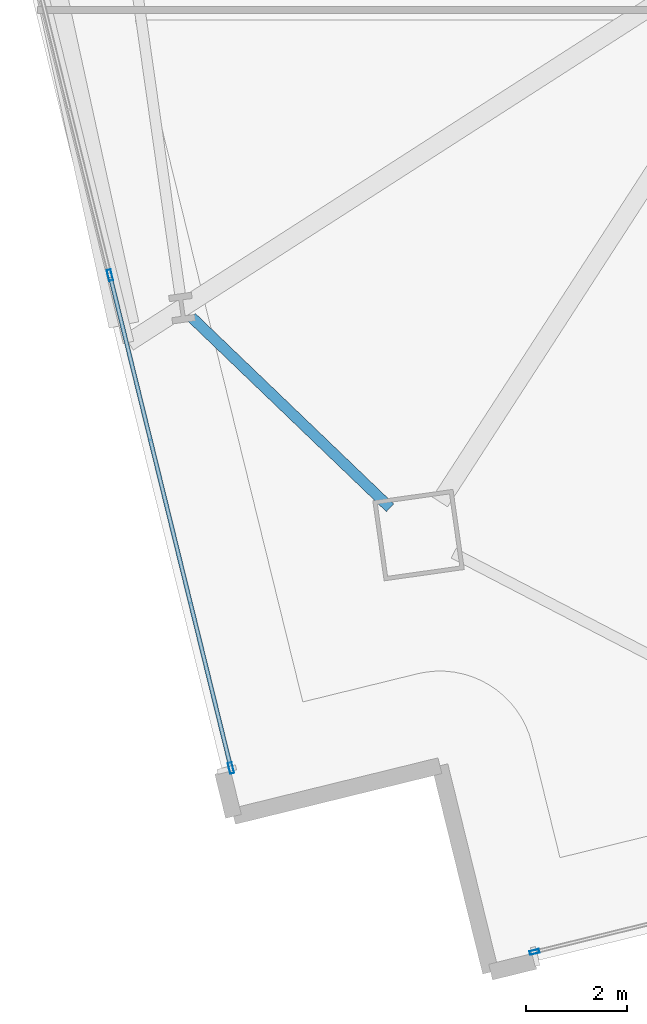
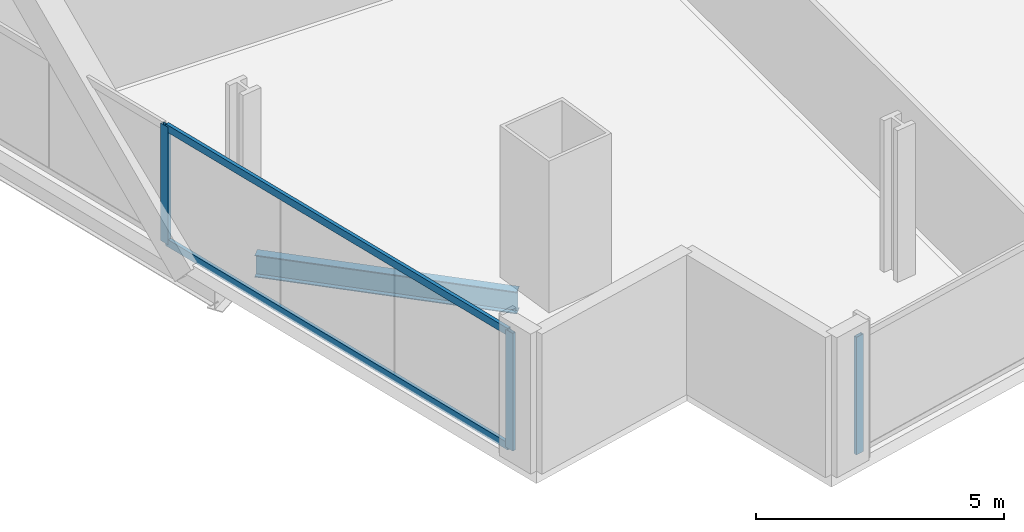
# One storey, part 2 of 32: 5 members, 1 beam, 2 elements without a shape of their own.
"""IFC4 building model written with IfcOpenShell, lengths in metres."""

from ifc_helpers import new_model, si_unit, direction, frame, origin, origin_2d, place, context, subcontext, project, spatial, hollow_rectangle, i_section, extrude, material, material_profile, profile_set, type_object, element, aggregate, save


model = new_model("IFC4")

# Units and contexts
model_context = context("Model", 3, precision=1e-05, world=origin(), true_north=direction((0.0, 1.0)))
body_context = subcontext(model_context, "Body", "Model", "MODEL_VIEW")
ifc_project = project(units=[si_unit("LENGTHUNIT", "METRE"), si_unit("AREAUNIT", "SQUARE_METRE"), si_unit("VOLUMEUNIT", "CUBIC_METRE"), si_unit("PLANEANGLEUNIT", "RADIAN"), si_unit("MASSUNIT", "GRAM", prefix="KILO")], contexts=[model_context])

# Site, building, storey
site_placement = place(None, origin())
site = spatial("IfcSite", under=ifc_project, at=site_placement, CompositionType="ELEMENT")
building_placement = place(site_placement, origin())
building = spatial("IfcBuilding", under=site, at=building_placement, Name="Haldenkirk Collegiate Tower", CompositionType="ELEMENT")
storey_placement = place(building_placement, frame((0.0, 0.0, 73.949951171875)))
storey = spatial("IfcBuildingStorey", under=building, at=storey_placement, Name="L17", CompositionType="ELEMENT", Elevation=73.949951171875)

# Beam
ifc_material_1 = material(Name="Steel ASTM A992 Grade 50", Category="steel")
ifc_material_profile_1 = material_profile(ifc_material_1, i_section(OverallWidth=0.2119140625, OverallDepth=0.5439453125, WebThickness=0.01318359375, FlangeThickness=0.021240234375, at=origin_2d()), Name="W21X83")
ifc_profile_set_1 = profile_set([ifc_material_profile_1], Name="Steel ASTM A992 Grade 50")
beam_type = type_object("IfcBeamType", Name="BM-SPANDREL-W21X83", PredefinedType="SPANDREL", material=ifc_profile_set_1)
beam_placement = place(storey_placement, frame((14.212890625, 9.47412109375, -0.58203125), z_axis=(0.721492362326, -0.692422393561, 0.0), x_axis=(0.692422393561, 0.721492362326, 0.0)))
element("IfcBeam", 1, at=beam_placement, inside=storey, type_object=beam_type, Name="L17 perimeter spandrel beam 16", PredefinedType="SPANDREL", context=body_context, shape_type="SweptSolid", body=[
    extrude(i_section(OverallWidth=0.2119140625, OverallDepth=0.5439453125, WebThickness=0.01318359375, FlangeThickness=0.021240234375, at=origin_2d()), origin(), (0.0, 0.0, 1.0), 5.433837890625),
])

# Curtain wall, member
ifc_material_2 = material(Name="Anodised architectural bronze aluminium", Category="aluminium")
curtain_wall_type_1 = type_object("IfcCurtainWallType", Name="CW-SYS2-CONCAVE", PredefinedType="USERDEFINED", material=ifc_material_2)
curtain_wall_1_placement = place(storey_placement, origin())
curtain_wall_1 = element("IfcCurtainWall", 2, at=curtain_wall_1_placement, inside=storey, type_object=curtain_wall_type_1, Name="L17 South concave recessed bronze-anodised curtain wall", ObjectType="UNITISED CURTAIN WALL", PredefinedType="USERDEFINED")
ifc_material_profile_2 = material_profile(ifc_material_2, hollow_rectangle(XDim=0.074951171875, YDim=0.18994140625, WallThickness=0.0048828125, at=origin_2d()), Name="CW-MUL-02")
ifc_profile_set_2 = profile_set([ifc_material_profile_2], Name="Anodised architectural bronze aluminium")
member_type_1 = type_object("IfcMemberType", Name="CW-MUL-02", PredefinedType="MULLION", material=ifc_profile_set_2)
member_1_placement = place(storey_placement, frame((20.987060546875, -3.06494140625, 0.0), z_axis=(0.0, 0.0, 1.0), x_axis=(0.238533027316, -0.971134385592, 0.0)))
member_1 = element("IfcMember", 3, at=member_1_placement, type_object=member_type_1, Name="CW-02 mullion 5", PredefinedType="MULLION", context=body_context, shape_type="SweptSolid", body=[
    extrude(hollow_rectangle(XDim=0.074951171875, YDim=0.18994140625, WallThickness=0.0048828125, at=origin_2d()), origin(), (0.0, 0.0, 1.0), 2.89111328125),
])
aggregate(curtain_wall_1, [member_1])

# Curtain wall, members
curtain_wall_type_2 = type_object("IfcCurtainWallType", Name="CW-SYS1-CONVEX-LOW", PredefinedType="USERDEFINED", material=ifc_material_2)
curtain_wall_2_placement = place(storey_placement, origin())
curtain_wall_2 = element("IfcCurtainWall", 4, at=curtain_wall_2_placement, inside=storey, type_object=curtain_wall_type_2, Name="L17 Lower tower convex bronze-framed unitised curtain wall", ObjectType="UNITISED CURTAIN WALL", PredefinedType="USERDEFINED")
ifc_material_profile_3 = material_profile(ifc_material_2, hollow_rectangle(XDim=0.080078125, YDim=0.219970703125, WallThickness=0.0048828125, at=origin_2d()), Name="CW-MUL-1A")
ifc_profile_set_3 = profile_set([ifc_material_profile_3], Name="Anodised architectural bronze aluminium")
member_type_2 = type_object("IfcMemberType", Name="CW-MUL-1A", PredefinedType="MULLION", material=ifc_profile_set_3)
member_2_placement = place(storey_placement, frame((14.989501953125, 0.569091796875, 0.0), z_axis=(0.0, 0.0, 1.0), x_axis=(-0.97113457572, -0.238532253249, 0.0)))
member_2 = element("IfcMember", 5, at=member_2_placement, type_object=member_type_2, Name="CW-1A mullion 1", PredefinedType="MULLION", context=body_context, shape_type="SweptSolid", body=[
    extrude(hollow_rectangle(XDim=0.080078125, YDim=0.219970703125, WallThickness=0.0048828125, at=origin_2d()), origin(), (0.0, 0.0, 1.0), 2.89111328125),
])
member_3_placement = place(storey_placement, frame((12.597412109375, 10.308349609375, 0.0), z_axis=(0.0, 0.0, 1.0), x_axis=(-0.97113457572, -0.238532253249, 0.0)))
member_3 = element("IfcMember", 6, at=member_3_placement, type_object=member_type_2, Name="CW-1A mullion 2", PredefinedType="MULLION", context=body_context, shape_type="SweptSolid", body=[
    extrude(hollow_rectangle(XDim=0.080078125, YDim=0.219970703125, WallThickness=0.0048828125, at=origin_2d()), origin(), (0.0, 0.0, 1.0), 2.89111328125),
])
ifc_material_profile_4 = material_profile(ifc_material_2, hollow_rectangle(XDim=0.080078125, YDim=0.179931640625, WallThickness=0.0048828125, at=origin_2d()), Name="CW-TRN-1A")
ifc_profile_set_4 = profile_set([ifc_material_profile_4], Name="Anodised architectural bronze aluminium")
member_type_3 = type_object("IfcMemberType", Name="CW-TRN-1A", PredefinedType="USERDEFINED", material=ifc_profile_set_4)
member_4_placement = place(storey_placement, frame((14.97998046875, 0.60791015625, 0.0400390625), z_axis=(-0.238526359404, 0.971136023361, 0.0), x_axis=(-0.971136023361, -0.238526359404, 0.0)))
member_4 = element("IfcMember", 7, at=member_4_placement, type_object=member_type_3, Name="CW-1A transom 1.1", ObjectType="TRANSOM", PredefinedType="USERDEFINED", context=body_context, shape_type="SweptSolid", body=[
    extrude(hollow_rectangle(XDim=0.080078125, YDim=0.179931640625, WallThickness=0.0048828125, at=origin_2d()), origin(), (0.0, 0.0, 1.0), 9.94873046875),
])
member_5_placement = place(storey_placement, frame((14.97998046875, 0.60791015625, 2.85107421875), z_axis=(-0.238526359404, 0.971136023361, 0.0), x_axis=(-0.971136023361, -0.238526359404, 0.0)))
member_5 = element("IfcMember", 8, at=member_5_placement, type_object=member_type_3, Name="CW-1A transom 1.2", ObjectType="TRANSOM", PredefinedType="USERDEFINED", context=body_context, shape_type="SweptSolid", body=[
    extrude(hollow_rectangle(XDim=0.080078125, YDim=0.179931640625, WallThickness=0.0048828125, at=origin_2d()), origin(), (0.0, 0.0, 1.0), 9.94873046875),
])
aggregate(curtain_wall_2, [member_2, member_3, member_4, member_5])

save(model, "model.ifc")
